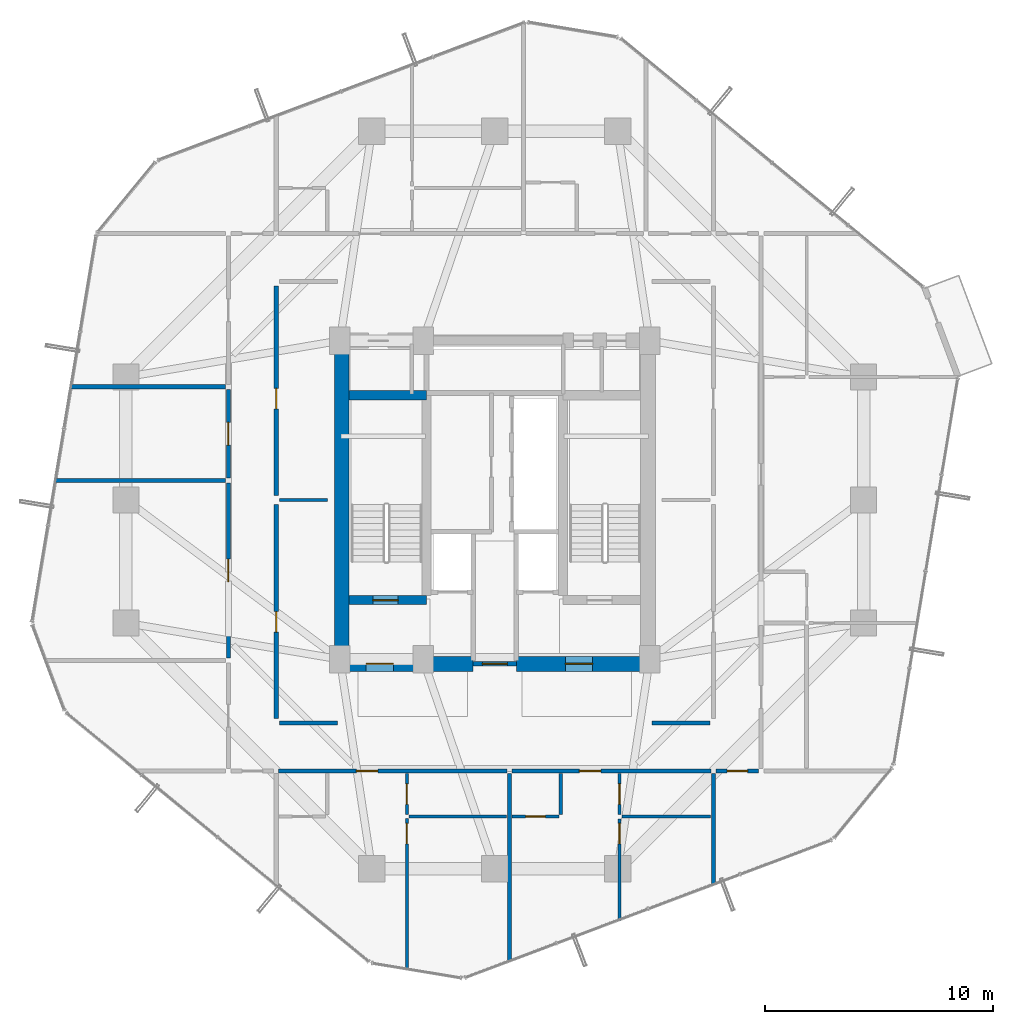
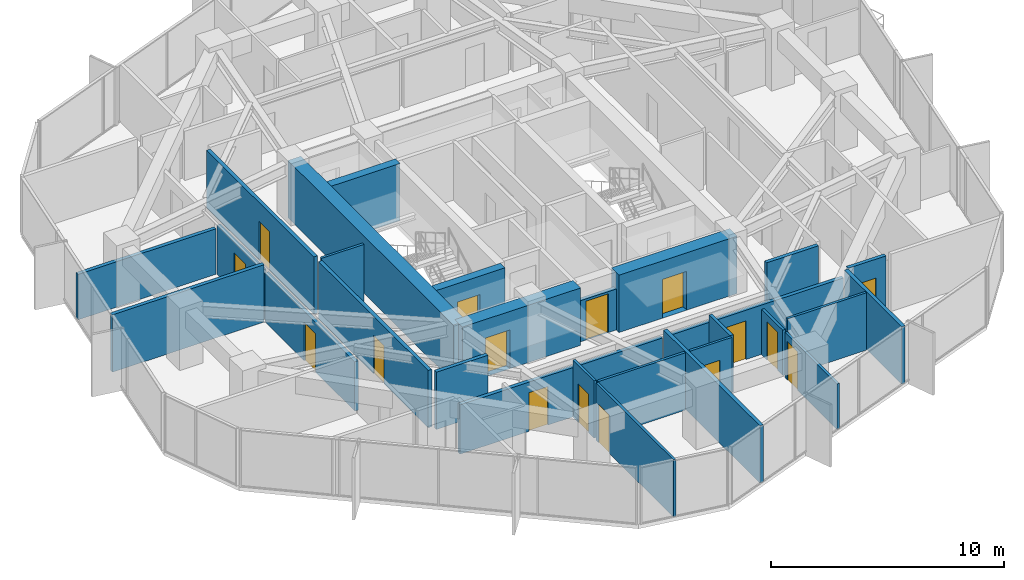
# One storey, part 25 of 30: 28 walls, 16 doors, 16 openings.
"""IFC4 building model written with IfcOpenShell, lengths in metres."""

from ifc_helpers import new_model, si_unit, direction, frame, frame_2d, origin, place, context, subcontext, project, spatial, rectangle, extrude, source, transform, mapped, material, layer, layer_set, type_object, element, fill, save


model = new_model("IFC4")

# Units and contexts
model_context = context("Model", 3, precision=1e-05, world=origin(), true_north=direction((0.0, 1.0)))
body_context = subcontext(model_context, "Body", "Model", "MODEL_VIEW")
ifc_project = project(units=[si_unit("LENGTHUNIT", "METRE"), si_unit("AREAUNIT", "SQUARE_METRE"), si_unit("VOLUMEUNIT", "CUBIC_METRE"), si_unit("PLANEANGLEUNIT", "RADIAN"), si_unit("MASSUNIT", "GRAM", prefix="KILO")], contexts=[model_context])

# Site, building, storey
site_placement = place(None, origin())
site = spatial("IfcSite", under=ifc_project, at=site_placement, CompositionType="ELEMENT")
building_placement = place(site_placement, origin())
building = spatial("IfcBuilding", under=site, at=building_placement, Name="Veraguas Prism Commons", CompositionType="ELEMENT")
storey_placement = place(building_placement, frame((0.0, 0.0, 95.949951171875)))
storey = spatial("IfcBuildingStorey", under=building, at=storey_placement, Name="L26", CompositionType="ELEMENT", Elevation=95.949951171875)

# Wall, opening, door
ifc_material_1 = material(Name="Concrete C50/60", Category="concrete")
ifc_layer_1 = layer(ifc_material_1, 0.39990234375, Name="Clinic and Mid Core Shear Wall RC 400", Category="concrete")
ifc_layer_set_1 = layer_set([ifc_layer_1], Name="Concrete C50/60")
wall_type_1 = type_object("IfcWallType", Name="Clinic and Mid Core Shear Wall RC 400", PredefinedType="SHEAR", material=ifc_layer_set_1)
wall_1_placement = place(storey_placement, frame((17.60009765625, 19.60009765625, 0.0), z_axis=(0.0, 0.0, 1.0), x_axis=(1.0, 0.0, 0.0)))
wall_1 = element("IfcWall", 1, at=wall_1_placement, inside=storey, type_object=wall_type_1, Name="Stair ST-01 South Shear Wall L26", PredefinedType="SHEAR", context=body_context, shape_type="SweptSolid", body=[
    extrude(rectangle(XDim=3.39990234375, YDim=0.39990234375, at=frame_2d((1.699951171875, 0.0))), origin(), (0.0, 0.0, 1.0), 3.0),
])
opening_1_placement = place(wall_1_placement, frame((1.050048828125, 0.0, 0.0)))
opening_1 = element("IfcOpeningElement", 2, at=opening_1_placement, cuts=wall_1, Name="Opening DR-05", PredefinedType="OPENING", context=body_context, shape_type="SweptSolid", body=[
    extrude(rectangle(XDim=1.10009765625, YDim=2.030029296875, at=frame_2d((0.550048828125, 1.01513671875))), frame((0.0, 0.2099609375, 0.0), z_axis=(0.0, -1.0, 0.0), x_axis=(1.0, 0.0, 0.0)), (0.0, 0.0, 1.0), 0.419921875),
])
ifc_material_2 = material(Name="Steel fire-rated door assembly", Category="steel")
door_type_1 = type_object("IfcDoorType", Name="Protected Stair and Refuge Fire Door 1100x2030", OperationType="NOTDEFINED", PredefinedType="DOOR", material=ifc_material_2)
shared_shape_1 = source(origin(), body_context, "Body", "SweptSolid", [
    extrude(rectangle(XDim=1.10009765625, YDim=2.030029296875, at=frame_2d((0.550048828125, 1.01513671875))), frame((0.0, 0.02490234375, 0.0), z_axis=(0.0, -1.0, 0.0), x_axis=(1.0, 0.0, 0.0)), (0.0, 0.0, 1.0), 0.050048828125),
])
door_1_placement = place(opening_1_placement, origin())
door_1 = element("IfcDoor", 3, at=door_1_placement, inside=storey, type_object=door_type_1, Name="Stair ST-01 Enclosure Door L26", OperationType="SINGLE_SWING_LEFT", OverallHeight=2.030029296875, OverallWidth=1.10009765625, PredefinedType="DOOR", context=body_context, shape_type="MappedRepresentation", body=[
    mapped(shared_shape_1, transform((0.0, 0.0, 0.0), scale=1.0)),
])
fill(opening_1, door_1)

# Walls
wall_2_placement = place(storey_placement, frame((17.60009765625, 28.60009765625, 0.0), z_axis=(0.0, 0.0, 1.0), x_axis=(1.0, 0.0, 0.0)))
element("IfcWall", 4, at=wall_2_placement, inside=storey, type_object=wall_type_1, Name="Stair ST-01 North Shear Wall L26", PredefinedType="SHEAR", context=body_context, shape_type="SweptSolid", body=[
    extrude(rectangle(XDim=3.39990234375, YDim=0.39990234375, at=frame_2d((1.699951171875, 0.0))), origin(), (0.0, 0.0, 1.0), 3.0),
])
ifc_material_3 = material(Name="Concrete C55/67", Category="concrete")
ifc_layer_2 = layer(ifc_material_3, 0.64990234375, Name="Core Outer Shear Wall Mid RC 650", Category="concrete")
ifc_layer_set_2 = layer_set([ifc_layer_2], Name="Concrete C55/67")
wall_type_2 = type_object("IfcWallType", Name="Core Outer Shear Wall Mid RC 650", PredefinedType="SHEAR", material=ifc_layer_set_2)
wall_3_placement = place(storey_placement, frame((17.27490234375, 16.800048828125, 0.0), z_axis=(0.0, 0.0, 1.0), x_axis=(0.0, 1.0, 0.0)))
element("IfcWall", 5, at=wall_3_placement, inside=storey, type_object=wall_type_2, Name="Central Core West Shear Wall L26", PredefinedType="SHEAR", context=body_context, shape_type="SweptSolid", body=[
    extrude(rectangle(XDim=14.199951171875, YDim=0.64990234375, at=frame_2d((7.10009765625, 0.0))), origin(), (0.0, 0.0, 1.0), 3.0),
])

# Wall, opening, door
wall_4_placement = place(storey_placement, frame((17.199951171875, 16.800048828125, 0.0), z_axis=(0.0, 0.0, 1.0), x_axis=(1.0, 0.0, 0.0)))
wall_4 = element("IfcWall", 6, at=wall_4_placement, inside=storey, type_object=wall_type_2, Name="Central Core South-West Shear Wall L26", PredefinedType="SHEAR", context=body_context, shape_type="SweptSolid", body=[
    extrude(rectangle(XDim=5.85009765625, YDim=0.64990234375, at=frame_2d((2.925048828125, 0.0))), origin(), (0.0, 0.0, 1.0), 3.0),
])
opening_2_placement = place(wall_4_placement, frame((1.14990234375, 0.0, 0.0)))
opening_2 = element("IfcOpeningElement", 7, at=opening_2_placement, cuts=wall_4, Name="Opening DR-06", PredefinedType="OPENING", context=body_context, shape_type="SweptSolid", body=[
    extrude(rectangle(XDim=1.199951171875, YDim=2.030029296875, at=frame_2d((0.60009765625, 1.01513671875))), frame((0.0, 0.3349609375, 0.0), z_axis=(0.0, -1.0, 0.0), x_axis=(1.0, 0.0, 0.0)), (0.0, 0.0, 1.0), 0.669921875),
])
door_type_2 = type_object("IfcDoorType", Name="Firefighting Lobby Smoke Door 1200x2030", OperationType="NOTDEFINED", PredefinedType="DOOR", material=ifc_material_2)
shared_shape_2 = source(origin(), body_context, "Body", "SweptSolid", [
    extrude(rectangle(XDim=1.199951171875, YDim=2.030029296875, at=frame_2d((0.60009765625, 1.01513671875))), frame((0.0, 0.02490234375, 0.0), z_axis=(0.0, -1.0, 0.0), x_axis=(1.0, 0.0, 0.0)), (0.0, 0.0, 1.0), 0.050048828125),
])
door_2_placement = place(opening_2_placement, origin())
door_2 = element("IfcDoor", 8, at=door_2_placement, inside=storey, type_object=door_type_2, Name="West FF Lobby Door L26", OperationType="SINGLE_SWING_LEFT", OverallHeight=2.030029296875, OverallWidth=1.199951171875, PredefinedType="DOOR", context=body_context, shape_type="MappedRepresentation", body=[
    mapped(shared_shape_2, transform((0.0, 0.0, 0.0), scale=1.0)),
])
fill(opening_2, door_2)

wall_5_placement = place(storey_placement, frame((24.949951171875, 16.800048828125, 0.0), z_axis=(0.0, 0.0, 1.0), x_axis=(1.0, 0.0, 0.0)))
wall_5 = element("IfcWall", 9, at=wall_5_placement, inside=storey, type_object=wall_type_2, Name="Central Core South-East Shear Wall L26", PredefinedType="SHEAR", context=body_context, shape_type="SweptSolid", body=[
    extrude(rectangle(XDim=5.85009765625, YDim=0.64990234375, at=frame_2d((2.925048828125, 0.0))), origin(), (0.0, 0.0, 1.0), 3.0),
])
opening_3_placement = place(wall_5_placement, frame((2.14990234375, 0.0, 0.0)))
opening_3 = element("IfcOpeningElement", 10, at=opening_3_placement, cuts=wall_5, Name="Opening DR-06", PredefinedType="OPENING", context=body_context, shape_type="SweptSolid", body=[
    extrude(rectangle(XDim=1.199951171875, YDim=2.030029296875, at=frame_2d((0.60009765625, 1.01513671875))), frame((0.0, 0.3349609375, 0.0), z_axis=(0.0, -1.0, 0.0), x_axis=(1.0, 0.0, 0.0)), (0.0, 0.0, 1.0), 0.669921875),
])
door_3_placement = place(opening_3_placement, origin())
door_3 = element("IfcDoor", 11, at=door_3_placement, inside=storey, type_object=door_type_2, Name="East FF Lobby Door L26", OperationType="SINGLE_SWING_LEFT", OverallHeight=2.030029296875, OverallWidth=1.199951171875, PredefinedType="DOOR", context=body_context, shape_type="MappedRepresentation", body=[
    mapped(shared_shape_2, transform((0.0, 0.0, 0.0), scale=1.0)),
])
fill(opening_3, door_3)

ifc_material_4 = material(Name="Autoclaved aerated masonry block 10 MPa", Category="masonry")
ifc_layer_3 = layer(ifc_material_4, 0.179931640625, Name="Corridor and Inter-Tenancy Partition 180", Category="masonry")
ifc_layer_set_3 = layer_set([ifc_layer_3], Name="Autoclaved aerated masonry block 10 MPa")
wall_type_3 = type_object("IfcWallType", Name="Corridor and Inter-Tenancy Partition 180", PredefinedType="PARTITIONING", material=ifc_layer_set_3)
wall_6_placement = place(storey_placement, frame((14.39990234375, 14.39990234375, 0.0), z_axis=(0.0, 0.0, 1.0), x_axis=(0.0, 1.0, 0.0)))
wall_6 = element("IfcWall", 12, at=wall_6_placement, inside=storey, type_object=wall_type_3, Name="WL-L26-IRW1", PredefinedType="PARTITIONING", context=body_context, shape_type="SweptSolid", body=[
    extrude(rectangle(XDim=9.400146484375, YDim=0.179931640625, at=frame_2d((4.7001953125, 0.0))), origin(), (0.0, 0.0, 1.0), 3.0),
])
opening_4_placement = place(wall_6_placement, frame((3.800048828125, 0.0, 0.0)))
opening_4 = element("IfcOpeningElement", 13, at=opening_4_placement, cuts=wall_6, Name="Opening DR-14", PredefinedType="OPENING", context=body_context, shape_type="SweptSolid", body=[
    extrude(rectangle(XDim=0.89990234375, YDim=2.010009765625, at=frame_2d((0.449951171875, 1.0048828125))), frame((0.0, 0.099853515625, 0.0), z_axis=(0.0, -1.0, 0.0), x_axis=(1.0, 0.0, 0.0)), (0.0, 0.0, 1.0), 0.199951171875),
])
door_type_3 = type_object("IfcDoorType", Name="Core Service Room Fire Door 900x2010", OperationType="NOTDEFINED", PredefinedType="DOOR", material=ifc_material_2)
shared_shape_3 = source(origin(), body_context, "Body", "SweptSolid", [
    extrude(rectangle(XDim=0.89990234375, YDim=2.010009765625, at=frame_2d((0.449951171875, 1.0048828125))), frame((0.0, 0.02490234375, 0.0), z_axis=(0.0, -1.0, 0.0), x_axis=(1.0, 0.0, 0.0)), (0.0, 0.0, 1.0), 0.050048828125),
])
door_4_placement = place(opening_4_placement, origin())
door_4 = element("IfcDoor", 14, at=door_4_placement, inside=storey, type_object=door_type_3, Name="Residents Quiet Study Pod Door L26", OperationType="SINGLE_SWING_RIGHT", OverallHeight=2.010009765625, OverallWidth=0.89990234375, PredefinedType="DOOR", context=body_context, shape_type="MappedRepresentation", body=[
    mapped(shared_shape_3, transform((0.0, 0.0, 0.0), scale=1.0)),
])
fill(opening_4, door_4)

wall_7_placement = place(storey_placement, frame((14.39990234375, 24.199951171875, 0.0), z_axis=(0.0, 0.0, 1.0), x_axis=(0.0, 1.0, 0.0)))
wall_7 = element("IfcWall", 15, at=wall_7_placement, inside=storey, type_object=wall_type_3, Name="WL-L26-IRW2", PredefinedType="PARTITIONING", context=body_context, shape_type="SweptSolid", body=[
    extrude(rectangle(XDim=9.199951171875, YDim=0.179931640625, at=frame_2d((4.60009765625, 0.0))), origin(), (0.0, 0.0, 1.0), 3.0),
])
opening_5_placement = place(wall_7_placement, frame((3.800048828125, 0.0, 0.0)))
opening_5 = element("IfcOpeningElement", 16, at=opening_5_placement, cuts=wall_7, Name="Opening DR-14", PredefinedType="OPENING", context=body_context, shape_type="SweptSolid", body=[
    extrude(rectangle(XDim=0.89990234375, YDim=2.010009765625, at=frame_2d((0.449951171875, 1.0048828125))), frame((0.0, 0.099853515625, 0.0), z_axis=(0.0, -1.0, 0.0), x_axis=(1.0, 0.0, 0.0)), (0.0, 0.0, 1.0), 0.199951171875),
])
door_5_placement = place(opening_5_placement, origin())
door_5 = element("IfcDoor", 17, at=door_5_placement, inside=storey, type_object=door_type_3, Name="Co-op Cycle and Pram Store Door L26", OperationType="SINGLE_SWING_LEFT", OverallHeight=2.010009765625, OverallWidth=0.89990234375, PredefinedType="DOOR", context=body_context, shape_type="MappedRepresentation", body=[
    mapped(shared_shape_3, transform((0.0, 0.0, 0.0), scale=1.0)),
])
fill(opening_5, door_5)

# Walls
for number, where, z_axis, x_axis, name in (
    (18, (14.550048828125, 14.199951171875, 0.0), (0.0, 0.0, 1.0), (1.0, 0.0, 0.0), "WL-L26-IRWS"),
    (19, (30.89990234375, 14.199951171875, 0.0), (0.0, 0.0, 1.0), (1.0, 0.0, 0.0), "WL-L26-IRES"),
):
    element("IfcWall", number, at=place(storey_placement, frame(where, z_axis=z_axis, x_axis=x_axis)), inside=storey, type_object=wall_type_3, Name=name, PredefinedType="PARTITIONING", context=body_context, shape_type="SweptSolid", body=[
        extrude(rectangle(XDim=2.550048828125, YDim=0.179931640625, at=frame_2d((1.27490234375, 0.0))), origin(), (0.0, 0.0, 1.0), 3.0),
    ])
wall_8_placement = place(storey_placement, frame((33.60009765625, 11.97998046875, 0.0), z_axis=(0.0, 0.0, 1.0), x_axis=(0.0, -1.0, 0.0)))
element("IfcWall", 20, at=wall_8_placement, inside=storey, type_object=wall_type_3, Name="WL-L26-PT002", PredefinedType="PARTITIONING", context=body_context, shape_type="SweptSolid", body=[
    extrude(rectangle(XDim=4.8974609375, YDim=0.179931640625, at=frame_2d((2.44873046875, 0.0))), origin(), (0.0, 0.0, 1.0), 3.0),
])

# Wall, opening, door
wall_9_placement = place(storey_placement, frame((14.510009765625, 12.10009765625, 0.0), z_axis=(0.0, 0.0, 1.0), x_axis=(1.0, 0.0, 0.0)))
wall_9 = element("IfcWall", 21, at=wall_9_placement, inside=storey, type_object=wall_type_3, Name="WL-L26-PT003", PredefinedType="PARTITIONING", context=body_context, shape_type="SweptSolid", body=[
    extrude(rectangle(XDim=10.02392578125, YDim=0.179931640625, at=frame_2d((5.011962890625, 0.0))), origin(), (0.0, 0.0, 1.0), 2.580078125),
])
opening_6_placement = place(wall_9_placement, frame((3.408447265625, 0.0, 0.0)))
opening_6 = element("IfcOpeningElement", 22, at=opening_6_placement, cuts=wall_9, Name="Opening DR-01", PredefinedType="OPENING", context=body_context, shape_type="SweptSolid", body=[
    extrude(rectangle(XDim=0.949951171875, YDim=2.02001953125, at=frame_2d((0.47509765625, 1.010009765625))), frame((0.0, 0.099853515625, 0.0), z_axis=(0.0, -1.0, 0.0), x_axis=(1.0, 0.0, 0.0)), (0.0, 0.0, 1.0), 0.199951171875),
])
ifc_material_5 = material(Name="Anodised aluminium EN AW-6063 T6", Category="aluminium")
door_type_4 = type_object("IfcDoorType", Name="Apartment Entrance Fire Door 950x2020", OperationType="NOTDEFINED", PredefinedType="DOOR", material=ifc_material_5)
shared_shape_4 = source(origin(), body_context, "Body", "SweptSolid", [
    extrude(rectangle(XDim=0.949951171875, YDim=2.02001953125, at=frame_2d((0.47509765625, 1.010009765625))), frame((0.0, 0.02490234375, 0.0), z_axis=(0.0, -1.0, 0.0), x_axis=(1.0, 0.0, 0.0)), (0.0, 0.0, 1.0), 0.050048828125),
])
door_6_placement = place(opening_6_placement, origin())
door_6 = element("IfcDoor", 23, at=door_6_placement, inside=storey, type_object=door_type_4, Name="Flat 26A Entrance Door", OperationType="SINGLE_SWING_RIGHT", OverallHeight=2.02001953125, OverallWidth=0.949951171875, PredefinedType="DOOR", context=body_context, shape_type="MappedRepresentation", body=[
    mapped(shared_shape_4, transform((0.0, 0.0, 0.0), scale=1.0)),
])
fill(opening_6, door_6)

# Wall
wall_10_placement = place(storey_placement, frame((24.64404296875, 11.97998046875, 0.0), z_axis=(0.0, 0.0, 1.0), x_axis=(0.0, -1.0, 0.0)))
element("IfcWall", 24, at=wall_10_placement, inside=storey, type_object=wall_type_3, Name="WL-L26-PT009", PredefinedType="PARTITIONING", context=body_context, shape_type="SweptSolid", body=[
    extrude(rectangle(XDim=8.26025390625, YDim=0.179931640625, at=frame_2d((4.130126953125, 0.0))), origin(), (0.0, 0.0, 1.0), 3.0),
])

# Wall, opening, door
wall_11_placement = place(storey_placement, frame((24.75390625, 12.10009765625, 0.0), z_axis=(0.0, 0.0, 1.0), x_axis=(1.0, 0.0, 0.0)))
wall_11 = element("IfcWall", 25, at=wall_11_placement, inside=storey, type_object=wall_type_3, Name="WL-L26-PT010", PredefinedType="PARTITIONING", context=body_context, shape_type="SweptSolid", body=[
    extrude(rectangle(XDim=8.736083984375, YDim=0.179931640625, at=frame_2d((4.3681640625, 0.0))), origin(), (0.0, 0.0, 1.0), 2.580078125),
])
opening_7_placement = place(wall_11_placement, frame((2.9580078125, 0.0, 0.0)))
opening_7 = element("IfcOpeningElement", 26, at=opening_7_placement, cuts=wall_11, Name="Opening DR-01", PredefinedType="OPENING", context=body_context, shape_type="SweptSolid", body=[
    extrude(rectangle(XDim=0.949951171875, YDim=2.02001953125, at=frame_2d((0.47509765625, 1.010009765625))), frame((0.0, 0.099853515625, 0.0), z_axis=(0.0, -1.0, 0.0), x_axis=(1.0, 0.0, 0.0)), (0.0, 0.0, 1.0), 0.199951171875),
])
door_7_placement = place(opening_7_placement, origin())
door_7 = element("IfcDoor", 27, at=door_7_placement, inside=storey, type_object=door_type_4, Name="Flat 26B Entrance Door", OperationType="SINGLE_SWING_RIGHT", OverallHeight=2.02001953125, OverallWidth=0.949951171875, PredefinedType="DOOR", context=body_context, shape_type="MappedRepresentation", body=[
    mapped(shared_shape_4, transform((0.0, 0.0, 0.0), scale=1.0)),
])
fill(opening_7, door_7)

wall_12_placement = place(storey_placement, frame((12.300048828125, 17.055908203125, 0.0), z_axis=(0.0, 0.0, 1.0), x_axis=(0.0, 1.0, 0.0)))
wall_12 = element("IfcWall", 28, at=wall_12_placement, inside=storey, type_object=wall_type_3, Name="WL-L26-PT033", PredefinedType="PARTITIONING", context=body_context, shape_type="SweptSolid", body=[
    extrude(rectangle(XDim=7.68603515625, YDim=0.179931640625, at=frame_2d((3.843017578125, 0.0))), origin(), (0.0, 0.0, 1.0), 2.580078125),
])
opening_8_placement = place(wall_12_placement, frame((3.343017578125, 0.0, 0.0)))
opening_8 = element("IfcOpeningElement", 29, at=opening_8_placement, cuts=wall_12, Name="Opening DR-13", PredefinedType="OPENING", context=body_context, shape_type="SweptSolid", body=[
    extrude(rectangle(XDim=1.0, YDim=2.010009765625, at=frame_2d((0.5, 1.0048828125))), frame((0.0, 0.099853515625, 0.0), z_axis=(0.0, -1.0, 0.0), x_axis=(1.0, 0.0, 0.0)), (0.0, 0.0, 1.0), 0.199951171875),
])
door_type_5 = type_object("IfcDoorType", Name="Core Accessible WC and Clinic Fire Door 1000x2010", OperationType="NOTDEFINED", PredefinedType="DOOR", material=ifc_material_2)
shared_shape_5 = source(origin(), body_context, "Body", "SweptSolid", [
    extrude(rectangle(XDim=1.0, YDim=2.010009765625, at=frame_2d((0.5, 1.0048828125))), frame((0.0, 0.02490234375, 0.0), z_axis=(0.0, -1.0, 0.0), x_axis=(1.0, 0.0, 0.0)), (0.0, 0.0, 1.0), 0.050048828125),
])
door_8_placement = place(opening_8_placement, origin())
door_8 = element("IfcDoor", 30, at=door_8_placement, inside=storey, type_object=door_type_5, Name="Co-op Store W Door", OperationType="SINGLE_SWING_RIGHT", OverallHeight=2.010009765625, OverallWidth=1.0, PredefinedType="DOOR", context=body_context, shape_type="MappedRepresentation", body=[
    mapped(shared_shape_5, transform((0.0, 0.0, 0.0), scale=1.0)),
])
fill(opening_8, door_8)

# Wall
wall_13_placement = place(storey_placement, frame((12.179931640625, 24.85205078125, 0.0), z_axis=(0.0, 0.0, 1.0), x_axis=(-1.0, 0.0, 0.0)))
element("IfcWall", 31, at=wall_13_placement, inside=storey, type_object=wall_type_3, Name="WL-L26-PT035", PredefinedType="PARTITIONING", context=body_context, shape_type="SweptSolid", body=[
    extrude(rectangle(XDim=7.513671875, YDim=0.179931640625, at=frame_2d((3.7568359375, 0.0))), origin(), (0.0, 0.0, 1.0), 3.0),
])

# Wall, opening, door
wall_14_placement = place(storey_placement, frame((12.300048828125, 24.9619140625, 0.0), z_axis=(0.0, 0.0, 1.0), x_axis=(0.0, 1.0, 0.0)))
wall_14 = element("IfcWall", 32, at=wall_14_placement, inside=storey, type_object=wall_type_3, Name="WL-L26-PT036", PredefinedType="PARTITIONING", context=body_context, shape_type="SweptSolid", body=[
    extrude(rectangle(XDim=3.902099609375, YDim=0.179931640625, at=frame_2d((1.951171875, 0.0))), origin(), (0.0, 0.0, 1.0), 2.580078125),
])
opening_9_placement = place(wall_14_placement, frame((1.450927734375, 0.0, 0.0)))
opening_9 = element("IfcOpeningElement", 33, at=opening_9_placement, cuts=wall_14, Name="Opening DR-13", PredefinedType="OPENING", context=body_context, shape_type="SweptSolid", body=[
    extrude(rectangle(XDim=1.0, YDim=2.010009765625, at=frame_2d((0.5, 1.0048828125))), frame((0.0, 0.099853515625, 0.0), z_axis=(0.0, -1.0, 0.0), x_axis=(1.0, 0.0, 0.0)), (0.0, 0.0, 1.0), 0.199951171875),
])
door_9_placement = place(opening_9_placement, origin())
door_9 = element("IfcDoor", 34, at=door_9_placement, inside=storey, type_object=door_type_5, Name="Shared Laundry Room Door", OperationType="SINGLE_SWING_LEFT", OverallHeight=2.010009765625, OverallWidth=1.0, PredefinedType="DOOR", context=body_context, shape_type="MappedRepresentation", body=[
    mapped(shared_shape_5, transform((0.0, 0.0, 0.0), scale=1.0)),
])
fill(opening_9, door_9)

# Wall
wall_15_placement = place(storey_placement, frame((12.179931640625, 28.97412109375, 0.0), z_axis=(0.0, 0.0, 1.0), x_axis=(-1.0, 0.0, 0.0)))
element("IfcWall", 35, at=wall_15_placement, inside=storey, type_object=wall_type_3, Name="WL-L26-PT038", PredefinedType="PARTITIONING", context=body_context, shape_type="SweptSolid", body=[
    extrude(rectangle(XDim=6.829833984375, YDim=0.179931640625, at=frame_2d((3.4150390625, 0.0))), origin(), (0.0, 0.0, 1.0), 2.3779296875),
])

# Wall, opening, door
wall_16_placement = place(storey_placement, frame((33.719970703125, 12.10009765625, 0.0), z_axis=(0.0, 0.0, 1.0), x_axis=(1.0, 0.0, 0.0)))
wall_16 = element("IfcWall", 36, at=wall_16_placement, inside=storey, type_object=wall_type_3, Name="WL-L26-PT052", PredefinedType="PARTITIONING", context=body_context, shape_type="SweptSolid", body=[
    extrude(rectangle(XDim=1.860107421875, YDim=0.179931640625, at=frame_2d((0.93017578125, 0.0))), origin(), (0.0, 0.0, 1.0), 3.0),
])
opening_10_placement = place(wall_16_placement, frame((0.47998046875, 0.0, 0.0)))
opening_10 = element("IfcOpeningElement", 37, at=opening_10_placement, cuts=wall_16, Name="Opening DR-14", PredefinedType="OPENING", context=body_context, shape_type="SweptSolid", body=[
    extrude(rectangle(XDim=0.89990234375, YDim=2.010009765625, at=frame_2d((0.449951171875, 1.0048828125))), frame((0.0, 0.099853515625, 0.0), z_axis=(0.0, -1.0, 0.0), x_axis=(1.0, 0.0, 0.0)), (0.0, 0.0, 1.0), 0.199951171875),
])
door_10_placement = place(opening_10_placement, origin())
door_10 = element("IfcDoor", 38, at=door_10_placement, inside=storey, type_object=door_type_3, Name="Shared Laundry Room SE Door", OperationType="SINGLE_SWING_RIGHT", OverallHeight=2.010009765625, OverallWidth=0.89990234375, PredefinedType="DOOR", context=body_context, shape_type="MappedRepresentation", body=[
    mapped(shared_shape_3, transform((0.0, 0.0, 0.0), scale=1.0)),
])
fill(opening_10, door_10)

# Wall
ifc_material_6 = material(Name="Lightweight acoustic gypsum board")
ifc_layer_4 = layer(ifc_material_6, 0.125, Name="Internal Apartment Room Partition 125")
ifc_layer_set_4 = layer_set([ifc_layer_4], Name="Lightweight acoustic gypsum board")
wall_type_4 = type_object("IfcWallType", Name="Internal Apartment Room Partition 125", PredefinedType="PARTITIONING", material=ifc_layer_set_4)
wall_17_placement = place(storey_placement, frame((14.550048828125, 24.0, 0.0), z_axis=(0.0, 0.0, 1.0), x_axis=(1.0, 0.0, 0.0)))
element("IfcWall", 39, at=wall_17_placement, inside=storey, type_object=wall_type_4, Name="WL-L26-IRWM", PredefinedType="PARTITIONING", context=body_context, shape_type="SweptSolid", body=[
    extrude(rectangle(XDim=2.099853515625, YDim=0.125, at=frame_2d((1.0498046875, 0.0))), origin(), (0.0, 0.0, 1.0), 3.0),
])

# Wall, opening, door
wall_18_placement = place(storey_placement, frame((20.136962890625, 11.97998046875, 0.0), z_axis=(0.0, 0.0, 1.0), x_axis=(0.0, -1.0, 0.0)))
wall_18 = element("IfcWall", 40, at=wall_18_placement, inside=storey, type_object=wall_type_4, Name="WL-L26-PT006", PredefinedType="PARTITIONING", context=body_context, shape_type="SweptSolid", body=[
    extrude(rectangle(XDim=1.800048828125, YDim=0.125, at=frame_2d((0.89990234375, 0.0))), origin(), (0.0, 0.0, 1.0), 3.0),
])
opening_11_placement = place(wall_18_placement, frame((0.449951171875, 0.0, 0.0)))
opening_11 = element("IfcOpeningElement", 41, at=opening_11_placement, cuts=wall_18, Name="Opening DR-02", PredefinedType="OPENING", context=body_context, shape_type="SweptSolid", body=[
    extrude(rectangle(XDim=0.89990234375, YDim=2.010009765625, at=frame_2d((0.449951171875, 1.0048828125))), frame((0.0, 0.072509765625, 0.0), z_axis=(0.0, -1.0, 0.0), x_axis=(1.0, 0.0, 0.0)), (0.0, 0.0, 1.0), 0.14501953125),
])
ifc_material_7 = material(Name="Timber solid core hardwood", Category="wood")
door_type_6 = type_object("IfcDoorType", Name="Internal Habitable Room Door 900x2010", OperationType="NOTDEFINED", PredefinedType="DOOR", material=ifc_material_7)
door_11_placement = place(opening_11_placement, origin())
door_11 = element("IfcDoor", 42, at=door_11_placement, inside=storey, type_object=door_type_6, Name="Flat 26A Kitchen Door", OperationType="SINGLE_SWING_RIGHT", OverallHeight=2.010009765625, OverallWidth=0.89990234375, PredefinedType="DOOR", context=body_context, shape_type="MappedRepresentation", body=[
    mapped(shared_shape_3, transform((0.0, 0.0, 0.0), scale=1.0)),
])
fill(opening_11, door_11)

# Wall
wall_19_placement = place(storey_placement, frame((20.237060546875, 10.10009765625, 0.0), z_axis=(0.0, 0.0, 1.0), x_axis=(1.0, 0.0, 0.0)))
element("IfcWall", 43, at=wall_19_placement, inside=storey, type_object=wall_type_4, Name="WL-L26-PT007", PredefinedType="PARTITIONING", context=body_context, shape_type="SweptSolid", body=[
    extrude(rectangle(XDim=4.286865234375, YDim=0.125, at=frame_2d((2.1435546875, 0.0))), origin(), (0.0, 0.0, 1.0), 3.0),
])

# Wall, opening, door
wall_20_placement = place(storey_placement, frame((20.136962890625, 10.0, 0.0), z_axis=(0.0, 0.0, 1.0), x_axis=(0.0, -1.0, 0.0)))
wall_20 = element("IfcWall", 44, at=wall_20_placement, inside=storey, type_object=wall_type_4, Name="WL-L26-PT008", PredefinedType="PARTITIONING", context=body_context, shape_type="SweptSolid", body=[
    extrude(rectangle(XDim=6.626953125, YDim=0.125, at=frame_2d((3.3134765625, 0.0))), origin(), (0.0, 0.0, 1.0), 3.0),
])
opening_12_placement = place(wall_20_placement, frame((0.199951171875, 0.0, 0.0)))
opening_12 = element("IfcOpeningElement", 45, at=opening_12_placement, cuts=wall_20, Name="Opening DR-02", PredefinedType="OPENING", context=body_context, shape_type="SweptSolid", body=[
    extrude(rectangle(XDim=0.89990234375, YDim=2.010009765625, at=frame_2d((0.449951171875, 1.0048828125))), frame((0.0, 0.072509765625, 0.0), z_axis=(0.0, -1.0, 0.0), x_axis=(1.0, 0.0, 0.0)), (0.0, 0.0, 1.0), 0.14501953125),
])
door_12_placement = place(opening_12_placement, origin())
door_12 = element("IfcDoor", 46, at=door_12_placement, inside=storey, type_object=door_type_6, Name="Flat 26A Bedroom 1 Door", OperationType="SINGLE_SWING_LEFT", OverallHeight=2.010009765625, OverallWidth=0.89990234375, PredefinedType="DOOR", context=body_context, shape_type="MappedRepresentation", body=[
    mapped(shared_shape_3, transform((0.0, 0.0, 0.0), scale=1.0)),
])
fill(opening_12, door_12)

wall_21_placement = place(storey_placement, frame((24.763916015625, 10.10009765625, 0.0), z_axis=(0.0, 0.0, 1.0), x_axis=(1.0, 0.0, 0.0)))
wall_21 = element("IfcWall", 47, at=wall_21_placement, inside=storey, type_object=wall_type_4, Name="WL-L26-PT012", PredefinedType="PARTITIONING", context=body_context, shape_type="SweptSolid", body=[
    extrude(rectangle(XDim=2.050048828125, YDim=0.125, at=frame_2d((1.02490234375, 0.0))), origin(), (0.0, 0.0, 1.0), 3.0),
])
opening_13_placement = place(wall_21_placement, frame((0.594970703125, 0.0, 0.0)))
opening_13 = element("IfcOpeningElement", 48, at=opening_13_placement, cuts=wall_21, Name="Opening DR-03", PredefinedType="OPENING", context=body_context, shape_type="SweptSolid", body=[
    extrude(rectangle(XDim=0.860107421875, YDim=2.010009765625, at=frame_2d((0.43017578125, 1.0048828125))), frame((0.0, 0.072509765625, 0.0), z_axis=(0.0, -1.0, 0.0), x_axis=(1.0, 0.0, 0.0)), (0.0, 0.0, 1.0), 0.14501953125),
])
ifc_material_8 = material(Name="Timber moisture-resistant leaf", Category="wood")
door_type_7 = type_object("IfcDoorType", Name="Internal Bathroom Door 860x2010", OperationType="NOTDEFINED", PredefinedType="DOOR", material=ifc_material_8)
shared_shape_6 = source(origin(), body_context, "Body", "SweptSolid", [
    extrude(rectangle(XDim=0.860107421875, YDim=2.010009765625, at=frame_2d((0.43017578125, 1.0048828125))), frame((0.0, 0.02490234375, 0.0), z_axis=(0.0, -1.0, 0.0), x_axis=(1.0, 0.0, 0.0)), (0.0, 0.0, 1.0), 0.050048828125),
])
door_13_placement = place(opening_13_placement, origin())
door_13 = element("IfcDoor", 49, at=door_13_placement, inside=storey, type_object=door_type_7, Name="Flat 26B Bathroom Door", OperationType="SINGLE_SWING_LEFT", OverallHeight=2.010009765625, OverallWidth=0.860107421875, PredefinedType="DOOR", context=body_context, shape_type="MappedRepresentation", body=[
    mapped(shared_shape_6, transform((0.0, 0.0, 0.0), scale=1.0)),
])
fill(opening_13, door_13)

wall_22_placement = place(storey_placement, frame((29.47998046875, 11.97998046875, 0.0), z_axis=(0.0, 0.0, 1.0), x_axis=(0.0, -1.0, 0.0)))
wall_22 = element("IfcWall", 50, at=wall_22_placement, inside=storey, type_object=wall_type_4, Name="WL-L26-PT013", PredefinedType="PARTITIONING", context=body_context, shape_type="SweptSolid", body=[
    extrude(rectangle(XDim=1.800048828125, YDim=0.125, at=frame_2d((0.89990234375, 0.0))), origin(), (0.0, 0.0, 1.0), 2.3779296875),
])
opening_14_placement = place(wall_22_placement, frame((0.449951171875, 0.0, 0.0)))
opening_14 = element("IfcOpeningElement", 51, at=opening_14_placement, cuts=wall_22, Name="Opening DR-02", PredefinedType="OPENING", context=body_context, shape_type="SweptSolid", body=[
    extrude(rectangle(XDim=0.89990234375, YDim=2.010009765625, at=frame_2d((0.449951171875, 1.0048828125))), frame((0.0, 0.072509765625, 0.0), z_axis=(0.0, -1.0, 0.0), x_axis=(1.0, 0.0, 0.0)), (0.0, 0.0, 1.0), 0.14501953125),
])
door_14_placement = place(opening_14_placement, origin())
door_14 = element("IfcDoor", 52, at=door_14_placement, inside=storey, type_object=door_type_6, Name="Flat 26B Kitchen Door", OperationType="SINGLE_SWING_RIGHT", OverallHeight=2.010009765625, OverallWidth=0.89990234375, PredefinedType="DOOR", context=body_context, shape_type="MappedRepresentation", body=[
    mapped(shared_shape_3, transform((0.0, 0.0, 0.0), scale=1.0)),
])
fill(opening_14, door_14)

# Wall
wall_23_placement = place(storey_placement, frame((29.580078125, 10.10009765625, 0.0), z_axis=(0.0, 0.0, 1.0), x_axis=(1.0, 0.0, 0.0)))
element("IfcWall", 53, at=wall_23_placement, inside=storey, type_object=wall_type_4, Name="WL-L26-PT014", PredefinedType="PARTITIONING", context=body_context, shape_type="SweptSolid", body=[
    extrude(rectangle(XDim=3.89990234375, YDim=0.125, at=frame_2d((1.949951171875, 0.0))), origin(), (0.0, 0.0, 1.0), 3.0),
])

# Wall, opening, door
wall_24_placement = place(storey_placement, frame((29.47998046875, 10.0, 0.0), z_axis=(0.0, 0.0, 1.0), x_axis=(0.0, -1.0, 0.0)))
wall_24 = element("IfcWall", 54, at=wall_24_placement, inside=storey, type_object=wall_type_4, Name="WL-L26-PT015", PredefinedType="PARTITIONING", context=body_context, shape_type="SweptSolid", body=[
    extrude(rectangle(XDim=4.464599609375, YDim=0.125, at=frame_2d((2.232421875, 0.0))), origin(), (0.0, 0.0, 1.0), 2.3779296875),
])
opening_15_placement = place(wall_24_placement, frame((0.199951171875, 0.0, 0.0)))
opening_15 = element("IfcOpeningElement", 55, at=opening_15_placement, cuts=wall_24, Name="Opening DR-02", PredefinedType="OPENING", context=body_context, shape_type="SweptSolid", body=[
    extrude(rectangle(XDim=0.89990234375, YDim=2.010009765625, at=frame_2d((0.449951171875, 1.0048828125))), frame((0.0, 0.072509765625, 0.0), z_axis=(0.0, -1.0, 0.0), x_axis=(1.0, 0.0, 0.0)), (0.0, 0.0, 1.0), 0.14501953125),
])
door_15_placement = place(opening_15_placement, origin())
door_15 = element("IfcDoor", 56, at=door_15_placement, inside=storey, type_object=door_type_6, Name="Flat 26B Bedroom 1 Door", OperationType="SINGLE_SWING_LEFT", OverallHeight=2.010009765625, OverallWidth=0.89990234375, PredefinedType="DOOR", context=body_context, shape_type="MappedRepresentation", body=[
    mapped(shared_shape_3, transform((0.0, 0.0, 0.0), scale=1.0)),
])
fill(opening_15, door_15)

ifc_layer_5 = layer(ifc_material_4, 0.199951171875, Name="Rated Shaft and Lobby Block Wall 200", Category="masonry")
ifc_layer_set_5 = layer_set([ifc_layer_5], Name="Autoclaved aerated masonry block 10 MPa")
wall_type_5 = type_object("IfcWallType", Name="Rated Shaft and Lobby Block Wall 200", PredefinedType="SOLIDWALL", material=ifc_layer_set_5)
wall_25_placement = place(storey_placement, frame((23.050048828125, 16.800048828125, 0.0), z_axis=(0.0, 0.0, 1.0), x_axis=(1.0, 0.0, 0.0)))
wall_25 = element("IfcWall", 57, at=wall_25_placement, inside=storey, type_object=wall_type_5, Name="Central Core Lobby Entrance Wall L26", PredefinedType="SOLIDWALL", context=body_context, shape_type="SweptSolid", body=[
    extrude(rectangle(XDim=1.89990234375, YDim=0.199951171875, at=frame_2d((0.949951171875, 0.0))), origin(), (0.0, 0.0, 1.0), 2.150146484375),
])
opening_16_placement = place(wall_25_placement, frame((0.39990234375, 0.0, 0.0)))
opening_16 = element("IfcOpeningElement", 58, at=opening_16_placement, cuts=wall_25, Name="Opening DR-05", PredefinedType="OPENING", context=body_context, shape_type="SweptSolid", body=[
    extrude(rectangle(XDim=1.10009765625, YDim=2.030029296875, at=frame_2d((0.550048828125, 1.01513671875))), frame((0.0, 0.10986328125, 0.0), z_axis=(0.0, -1.0, 0.0), x_axis=(1.0, 0.0, 0.0)), (0.0, 0.0, 1.0), 0.219970703125),
])
door_16_placement = place(opening_16_placement, origin())
door_16 = element("IfcDoor", 59, at=door_16_placement, inside=storey, type_object=door_type_1, Name="Central Lobby Door L26", OperationType="SINGLE_SWING_RIGHT", OverallHeight=2.030029296875, OverallWidth=1.10009765625, PredefinedType="DOOR", context=body_context, shape_type="MappedRepresentation", body=[
    mapped(shared_shape_1, transform((0.0, 0.0, 0.0), scale=1.0)),
])
fill(opening_16, door_16)

# Wall
ifc_layer_6 = layer(ifc_material_6, 0.14990234375, Name="Wet Room and Clinic Acoustic Partition 150")
ifc_layer_set_6 = layer_set([ifc_layer_6], Name="Lightweight acoustic gypsum board")
wall_type_6 = type_object("IfcWallType", Name="Wet Room and Clinic Acoustic Partition 150", PredefinedType="PARTITIONING", material=ifc_layer_set_6)
wall_26_placement = place(storey_placement, frame((26.89404296875, 11.97998046875, 0.0), z_axis=(0.0, 0.0, 1.0), x_axis=(0.0, -1.0, 0.0)))
element("IfcWall", 60, at=wall_26_placement, inside=storey, type_object=wall_type_6, Name="WL-L26-PT011", PredefinedType="PARTITIONING", context=body_context, shape_type="SweptSolid", body=[
    extrude(rectangle(XDim=1.800048828125, YDim=0.14990234375, at=frame_2d((0.89990234375, 0.0))), origin(), (0.0, 0.0, 1.0), 3.0),
])

save(model, "model.ifc")
